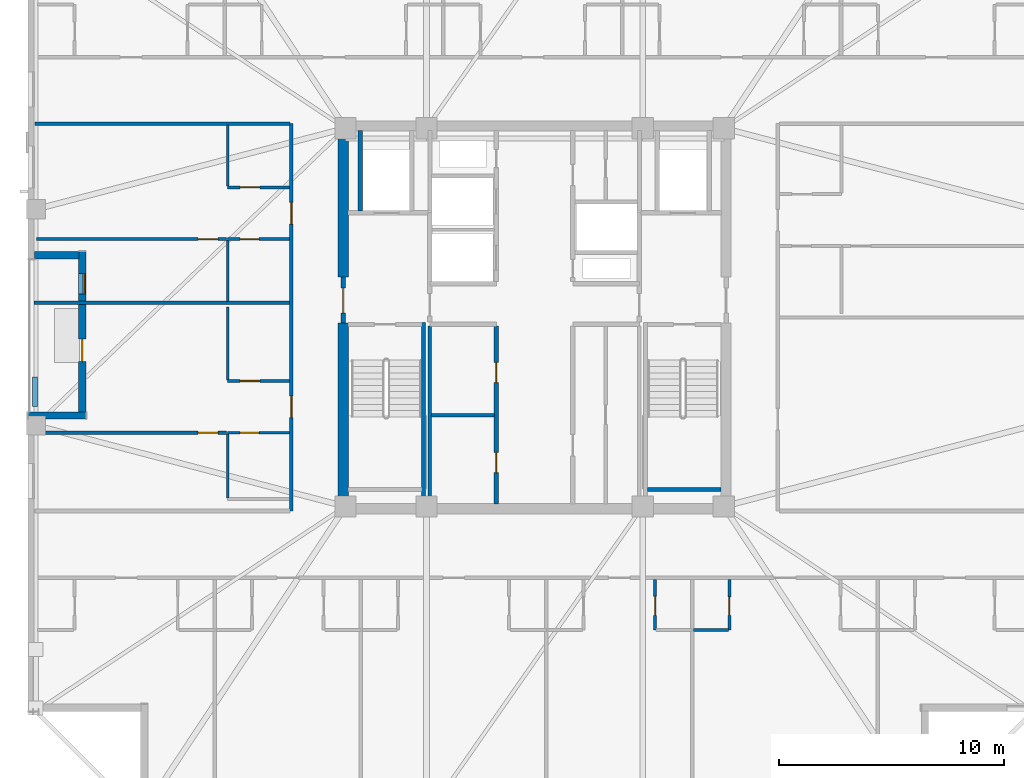
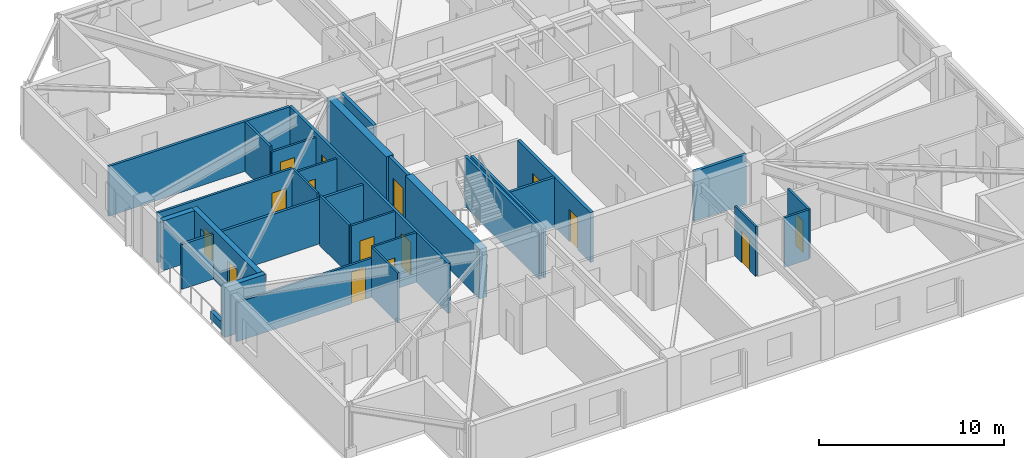
# One storey, part 8 of 17: 29 walls, 14 doors, 1 window, 15 openings.
"""IFC4 building model written with IfcOpenShell, lengths in metres."""

from ifc_helpers import new_model, si_unit, direction, frame, frame_2d, origin, place, context, subcontext, project, spatial, rectangle, extrude, material, layer, layer_set, type_object, element, fill, save


model = new_model("IFC4")

# Units and contexts
model_context = context("Model", 3, precision=1e-05, world=origin(), true_north=direction((0.0, 1.0)))
body_context = subcontext(model_context, "Body", "Model", "MODEL_VIEW")
ifc_project = project(units=[si_unit("LENGTHUNIT", "METRE"), si_unit("AREAUNIT", "SQUARE_METRE"), si_unit("VOLUMEUNIT", "CUBIC_METRE"), si_unit("PLANEANGLEUNIT", "RADIAN"), si_unit("MASSUNIT", "GRAM", prefix="KILO")], contexts=[model_context])

# Site, building, storey
site_placement = place(None, origin())
site = spatial("IfcSite", under=ifc_project, at=site_placement, CompositionType="ELEMENT")
building_placement = place(site_placement, origin())
building = spatial("IfcBuilding", under=site, at=building_placement, Name="Cairnveth Concourse Tower", CompositionType="ELEMENT")
storey_placement = place(building_placement, frame((0.0, 0.0, 237.5)))
storey = spatial("IfcBuildingStorey", under=building, at=storey_placement, Name="L65", CompositionType="ELEMENT", Elevation=237.5)

# Walls
ifc_material_1 = material(Name="Gypsum Plasterboard Partition", Category="gypsum")
ifc_layer_1 = layer(ifc_material_1, 0.159912109375)
ifc_layer_set_1 = layer_set([ifc_layer_1], Name="Gypsum Plasterboard Partition")
wall_type_1 = type_object("IfcWallType", Name="ACOUSTIC PARTY WALL 180", PredefinedType="PARTITIONING", material=ifc_layer_set_1)
wall_1_placement = place(storey_placement, frame((47.35009765625, 30.7099609375, 0.0), z_axis=(0.0, 0.0, 1.0), x_axis=(0.0, 1.0, 0.0)))
element("IfcWall", 1, at=wall_1_placement, inside=storey, type_object=wall_type_1, Name="Interior Wall IW-L65-025", PredefinedType="PARTITIONING", context=body_context, shape_type="SweptSolid", body=[
    extrude(rectangle(XDim=7.905029296875, YDim=0.159912109375, at=frame_2d((3.95263671875, 0.0))), origin(), (0.0, 0.0, 1.0), 3.2900390625),
])
wall_2_placement = place(storey_placement, frame((47.4150390625, 34.64990234375, 0.0), z_axis=(0.0, 0.0, 1.0), x_axis=(1.0, 0.0, 0.0)))
element("IfcWall", 2, at=wall_2_placement, inside=storey, type_object=wall_type_1, Name="Interior Wall IW-L65-026", PredefinedType="PARTITIONING", context=body_context, shape_type="SweptSolid", body=[
    extrude(rectangle(XDim=2.800048828125, YDim=0.159912109375, at=frame_2d((1.39990234375, 0.0))), origin(), (0.0, 0.0, 1.0), 3.2900390625),
])

# Wall, openings, doors
wall_3_placement = place(storey_placement, frame((41.199951171875, 30.39990234375, 0.0), z_axis=(0.0, 0.0, 1.0), x_axis=(0.0, 1.0, 0.0)))
wall_3 = element("IfcWall", 3, at=wall_3_placement, inside=storey, type_object=wall_type_1, Name="Interior Wall IW-L65-038", PredefinedType="PARTITIONING", context=body_context, shape_type="SweptSolid", body=[
    extrude(rectangle(XDim=17.2001953125, YDim=0.159912109375, at=frame_2d((8.60009765625, 0.0))), origin(), (0.0, 0.0, 1.0), 3.2900390625),
])
opening_1_placement = place(wall_3_placement, frame((4.14501953125, 0.0, 0.0)))
opening_1 = element("IfcOpeningElement", 4, at=opening_1_placement, cuts=wall_3, Name="Opening ID10", PredefinedType="OPENING", context=body_context, shape_type="SweptSolid", body=[
    extrude(rectangle(XDim=0.9599609375, YDim=2.179931640625, at=frame_2d((0.47998046875, 1.08984375))), frame((0.0, 0.08984375, 0.0), z_axis=(0.0, -1.0, 0.0), x_axis=(1.0, 0.0, 0.0)), (0.0, 0.0, 1.0), 0.179931640625),
])
opening_2_placement = place(wall_3_placement, frame((12.7451171875, 0.0, 0.0)))
opening_2 = element("IfcOpeningElement", 5, at=opening_2_placement, cuts=wall_3, Name="Opening ID10", PredefinedType="OPENING", context=body_context, shape_type="SweptSolid", body=[
    extrude(rectangle(XDim=0.9599609375, YDim=2.179931640625, at=frame_2d((0.47998046875, 1.08984375))), frame((0.0, 0.08984375, 0.0), z_axis=(0.0, -1.0, 0.0), x_axis=(1.0, 0.0, 0.0)), (0.0, 0.0, 1.0), 0.179931640625),
])
ifc_material_2 = material(Name="Solid Core Hardwood Timber Leaf", Category="wood")
door_type_1 = type_object("IfcDoorType", Name="FLAT ENTRANCE DOOR 960X2150", OperationType="NOTDEFINED", PredefinedType="DOOR", material=ifc_material_2)
door_1_placement = place(opening_1_placement, origin())
door_1 = element("IfcDoor", 6, at=door_1_placement, inside=storey, type_object=door_type_1, Name="Apartment L65W1 Entrance Door", OperationType="SINGLE_SWING_LEFT", OverallHeight=2.179931640625, OverallWidth=0.9599609375, PredefinedType="DOOR", context=body_context, shape_type="SweptSolid", body=[
    extrude(rectangle(XDim=0.9599609375, YDim=2.179931640625, at=frame_2d((0.47998046875, 1.08984375))), frame((0.0, 0.02490234375, 0.0), z_axis=(0.0, -1.0, 0.0), x_axis=(1.0, 0.0, 0.0)), (0.0, 0.0, 1.0), 0.050048828125),
])
fill(opening_1, door_1)
door_2_placement = place(opening_2_placement, origin())
door_2 = element("IfcDoor", 7, at=door_2_placement, inside=storey, type_object=door_type_1, Name="Apartment L65W2 Entrance Door", OperationType="SINGLE_SWING_LEFT", OverallHeight=2.179931640625, OverallWidth=0.9599609375, PredefinedType="DOOR", context=body_context, shape_type="SweptSolid", body=[
    extrude(rectangle(XDim=0.9599609375, YDim=2.179931640625, at=frame_2d((0.47998046875, 1.08984375))), frame((0.0, 0.02490234375, 0.0), z_axis=(0.0, -1.0, 0.0), x_axis=(1.0, 0.0, 0.0)), (0.0, 0.0, 1.0), 0.050048828125),
])
fill(opening_2, door_2)

# Walls
wall_4_placement = place(storey_placement, frame((29.804931640625, 47.60009765625, 0.0), z_axis=(0.0, 0.0, 1.0), x_axis=(1.0, 0.0, 0.0)))
element("IfcWall", 8, at=wall_4_placement, inside=storey, type_object=wall_type_1, Name="Interior Wall IW-L65-041", PredefinedType="PARTITIONING", context=body_context, shape_type="SweptSolid", body=[
    extrude(rectangle(XDim=11.330078125, YDim=0.159912109375, at=frame_2d((5.6650390625, 0.0))), origin(), (0.0, 0.0, 1.0), 3.2900390625),
])
wall_5_placement = place(storey_placement, frame((29.77001953125, 39.64990234375, 0.0), z_axis=(0.0, 0.0, 1.0), x_axis=(1.0, 0.0, 0.0)))
element("IfcWall", 9, at=wall_5_placement, inside=storey, type_object=wall_type_1, Name="Interior Wall IW-L65-097", PredefinedType="PARTITIONING", context=body_context, shape_type="SweptSolid", body=[
    extrude(rectangle(XDim=11.35009765625, YDim=0.159912109375, at=frame_2d((5.675048828125, 0.0))), origin(), (0.0, 0.0, 1.0), 2.9580078125),
])
ifc_material_3 = material(Name="Concrete N65 (65 MPa)", Category="concrete")
ifc_layer_2 = layer(ifc_material_3, 0.449951171875)
ifc_layer_set_2 = layer_set([ifc_layer_2], Name="Concrete N65 (65 MPa)")
wall_type_2 = type_object("IfcWallType", Name="CORE SHEAR WALL 450", PredefinedType="SHEAR", material=ifc_layer_set_2)
wall_6_placement = place(storey_placement, frame((43.5, 30.715087890625, 0.0), z_axis=(0.0, 0.0, 1.0), x_axis=(0.0, 1.0, 0.0)))
element("IfcWall", 10, at=wall_6_placement, inside=storey, type_object=wall_type_2, Name="Core West Shear Wall S L65", PredefinedType="SHEAR", context=body_context, shape_type="SweptSolid", body=[
    extrude(rectangle(XDim=8.034912109375, YDim=0.449951171875, at=frame_2d((4.017578125, 0.0))), origin(), (0.0, 0.0, 1.0), 3.2900390625),
])
wall_7_placement = place(storey_placement, frame((43.5, 40.800048828125, 0.0), z_axis=(0.0, 0.0, 1.0), x_axis=(0.0, 1.0, 0.0)))
element("IfcWall", 11, at=wall_7_placement, inside=storey, type_object=wall_type_2, Name="Core West Shear Wall N L65", PredefinedType="SHEAR", context=body_context, shape_type="SweptSolid", body=[
    extrude(rectangle(XDim=6.48486328125, YDim=0.449951171875, at=frame_2d((3.242431640625, 0.0))), origin(), (0.0, 0.0, 1.0), 3.2900390625),
])
ifc_material_4 = material(Name="Concrete N50 (50 MPa)", Category="concrete")
ifc_layer_3 = layer(ifc_material_4, 0.179931640625)
ifc_layer_set_3 = layer_set([ifc_layer_3], Name="Concrete N50 (50 MPa)")
wall_type_3 = type_object("IfcWallType", Name="FIRE SHAFT WALL 180", PredefinedType="SOLIDWALL", material=ifc_layer_set_3)
wall_8_placement = place(storey_placement, frame((47.070068359375, 38.780029296875, 0.0), z_axis=(0.0, 0.0, 1.0), x_axis=(0.0, -1.0, 0.0)))
element("IfcWall", 12, at=wall_8_placement, inside=storey, type_object=wall_type_3, Name="Stair ST-1 Shaft Wall RGHT L65", PredefinedType="SOLIDWALL", context=body_context, shape_type="SweptSolid", body=[
    extrude(rectangle(XDim=8.067138671875, YDim=0.179931640625, at=frame_2d((4.03369140625, 0.0))), origin(), (0.0, 0.0, 1.0), 3.2900390625),
])
wall_9_placement = place(storey_placement, frame((57.0048828125, 31.360107421875, 0.0), z_axis=(0.0, 0.0, 1.0), x_axis=(1.0, 0.0, 0.0)))
element("IfcWall", 13, at=wall_9_placement, inside=storey, type_object=wall_type_3, Name="Stair ST-2 Shaft Wall FAR L65", PredefinedType="SOLIDWALL", context=body_context, shape_type="SweptSolid", body=[
    extrude(rectangle(XDim=3.280029296875, YDim=0.179931640625, at=frame_2d((1.64013671875, 0.0))), origin(), (0.0, 0.0, 1.0), 3.2900390625),
])

# Wall, openings, doors
ifc_layer_4 = layer(ifc_material_4, 0.199951171875)
ifc_layer_set_4 = layer_set([ifc_layer_4], Name="Concrete N50 (50 MPa)")
wall_type_4 = type_object("IfcWallType", Name="FIRE SHAFT WALL 200", PredefinedType="SOLIDWALL", material=ifc_layer_set_4)
wall_10_placement = place(storey_placement, frame((50.300048828125, 30.7099609375, 0.0), z_axis=(0.0, 0.0, 1.0), x_axis=(0.0, 1.0, 0.0)))
wall_10 = element("IfcWall", 14, at=wall_10_placement, inside=storey, type_object=wall_type_4, Name="Interior Wall IW-L65-011", PredefinedType="SOLIDWALL", context=body_context, shape_type="SweptSolid", body=[
    extrude(rectangle(XDim=7.905029296875, YDim=0.199951171875, at=frame_2d((3.95263671875, 0.0))), origin(), (0.0, 0.0, 1.0), 3.2900390625),
])
opening_3_placement = place(wall_10_placement, frame((1.389892578125, 0.0, 0.0)))
opening_3 = element("IfcOpeningElement", 15, at=opening_3_placement, cuts=wall_10, Name="Opening ID26", PredefinedType="OPENING", context=body_context, shape_type="SweptSolid", body=[
    extrude(rectangle(XDim=0.89990234375, YDim=2.1201171875, at=frame_2d((0.449951171875, 1.06005859375))), frame((0.0, 0.10986328125, 0.0), z_axis=(0.0, -1.0, 0.0), x_axis=(1.0, 0.0, 0.0)), (0.0, 0.0, 1.0), 0.219970703125),
])
opening_4_placement = place(wall_10_placement, frame((5.389892578125, 0.0, 0.0)))
opening_4 = element("IfcOpeningElement", 16, at=opening_4_placement, cuts=wall_10, Name="Opening ID26", PredefinedType="OPENING", context=body_context, shape_type="SweptSolid", body=[
    extrude(rectangle(XDim=0.89990234375, YDim=2.1201171875, at=frame_2d((0.449951171875, 1.06005859375))), frame((0.0, 0.10986328125, 0.0), z_axis=(0.0, -1.0, 0.0), x_axis=(1.0, 0.0, 0.0)), (0.0, 0.0, 1.0), 0.219970703125),
])
ifc_material_5 = material(Name="Steel Grade 350", Category="steel")
door_type_2 = type_object("IfcDoorType", Name="CORE TOILET FIRE DOOR 900X2120", OperationType="NOTDEFINED", PredefinedType="DOOR", material=ifc_material_5)
door_3_placement = place(opening_3_placement, origin())
door_3 = element("IfcDoor", 17, at=door_3_placement, inside=storey, type_object=door_type_2, Name="Male WC Door L65", OperationType="SINGLE_SWING_LEFT", OverallHeight=2.1201171875, OverallWidth=0.89990234375, PredefinedType="DOOR", context=body_context, shape_type="SweptSolid", body=[
    extrude(rectangle(XDim=0.89990234375, YDim=2.1201171875, at=frame_2d((0.449951171875, 1.06005859375))), frame((0.0, 0.02490234375, 0.0), z_axis=(0.0, -1.0, 0.0), x_axis=(1.0, 0.0, 0.0)), (0.0, 0.0, 1.0), 0.050048828125),
])
fill(opening_3, door_3)
door_4_placement = place(opening_4_placement, origin())
door_4 = element("IfcDoor", 18, at=door_4_placement, inside=storey, type_object=door_type_2, Name="Female WC Door L65", OperationType="SINGLE_SWING_RIGHT", OverallHeight=2.1201171875, OverallWidth=0.89990234375, PredefinedType="DOOR", context=body_context, shape_type="SweptSolid", body=[
    extrude(rectangle(XDim=0.89990234375, YDim=2.1201171875, at=frame_2d((0.449951171875, 1.06005859375))), frame((0.0, 0.02490234375, 0.0), z_axis=(0.0, -1.0, 0.0), x_axis=(1.0, 0.0, 0.0)), (0.0, 0.0, 1.0), 0.050048828125),
])
fill(opening_4, door_4)

# Wall, opening, door
wall_11_placement = place(storey_placement, frame((43.5, 38.75, 0.0), z_axis=(0.0, 0.0, 1.0), x_axis=(0.0, 1.0, 0.0)))
wall_11 = element("IfcWall", 19, at=wall_11_placement, inside=storey, type_object=wall_type_4, Name="Interior Wall IW-L65-015", PredefinedType="SOLIDWALL", context=body_context, shape_type="SweptSolid", body=[
    extrude(rectangle(XDim=2.050048828125, YDim=0.199951171875, at=frame_2d((1.02490234375, 0.0))), origin(), (0.0, 0.0, 1.0), 3.2900390625),
])
opening_5_placement = place(wall_11_placement, frame((0.449951171875, 0.0, 0.0)))
opening_5 = element("IfcOpeningElement", 20, at=opening_5_placement, cuts=wall_11, Name="Opening ID06", PredefinedType="OPENING", context=body_context, shape_type="SweptSolid", body=[
    extrude(rectangle(XDim=1.10009765625, YDim=2.14990234375, at=frame_2d((0.550048828125, 1.074951171875))), frame((0.0, 0.10986328125, 0.0), z_axis=(0.0, -1.0, 0.0), x_axis=(1.0, 0.0, 0.0)), (0.0, 0.0, 1.0), 0.219970703125),
])
door_type_3 = type_object("IfcDoorType", Name="FIRE CORRIDOR DOOR 1100X2150", OperationType="NOTDEFINED", PredefinedType="DOOR", material=ifc_material_5)
door_5_placement = place(opening_5_placement, origin())
door_5 = element("IfcDoor", 21, at=door_5_placement, inside=storey, type_object=door_type_3, Name="West Wing to FF Lobby Door L65", OperationType="SINGLE_SWING_LEFT", OverallHeight=2.14990234375, OverallWidth=1.10009765625, PredefinedType="DOOR", context=body_context, shape_type="SweptSolid", body=[
    extrude(rectangle(XDim=1.10009765625, YDim=2.14990234375, at=frame_2d((0.550048828125, 1.074951171875))), frame((0.0, 0.02490234375, 0.0), z_axis=(0.0, -1.0, 0.0), x_axis=(1.0, 0.0, 0.0)), (0.0, 0.0, 1.0), 0.050048828125),
])
fill(opening_5, door_5)

# Wall
wall_12_placement = place(storey_placement, frame((44.25, 43.735107421875, 0.0), z_axis=(0.0, 0.0, 1.0), x_axis=(0.0, 1.0, 0.0)))
element("IfcWall", 22, at=wall_12_placement, inside=storey, type_object=wall_type_4, Name="Interior Wall IW-L65-019", PredefinedType="SOLIDWALL", context=body_context, shape_type="SweptSolid", body=[
    extrude(rectangle(XDim=3.554931640625, YDim=0.199951171875, at=frame_2d((1.77734375, 0.0))), origin(), (0.0, 0.0, 1.0), 3.2900390625),
])

# Wall, opening, door
ifc_layer_5 = layer(ifc_material_1, 0.139892578125)
ifc_layer_set_5 = layer_set([ifc_layer_5], Name="Gypsum Plasterboard Partition")
wall_type_5 = type_object("IfcWallType", Name="GYPSUM STUD PARTITION 140", PredefinedType="PARTITIONING", material=ifc_layer_set_5)
wall_13_placement = place(storey_placement, frame((29.8798828125, 33.875, 0.0), z_axis=(0.0, 0.0, 1.0), x_axis=(1.0, 0.0, 0.0)))
wall_13 = element("IfcWall", 23, at=wall_13_placement, inside=storey, type_object=wall_type_5, Name="Interior Wall IW-L65-103", PredefinedType="PARTITIONING", context=body_context, shape_type="SweptSolid", body=[
    extrude(rectangle(XDim=8.440185546875, YDim=0.139892578125, at=frame_2d((4.22021484375, 0.0))), origin(), (0.0, 0.0, 1.0), 2.572998046875),
])
opening_6_placement = place(wall_13_placement, frame((7.179931640625, 0.0, 0.0)))
opening_6 = element("IfcOpeningElement", 24, at=opening_6_placement, cuts=wall_13, Name="Opening ID18", PredefinedType="OPENING", context=body_context, shape_type="SweptSolid", body=[
    extrude(rectangle(XDim=0.8798828125, YDim=2.10009765625, at=frame_2d((0.43994140625, 1.050048828125))), frame((0.0, 0.079833984375, 0.0), z_axis=(0.0, -1.0, 0.0), x_axis=(1.0, 0.0, 0.0)), (0.0, 0.0, 1.0), 0.159912109375),
])
door_type_4 = type_object("IfcDoorType", Name="INTERIOR SINGLE DOOR 880X2100", OperationType="NOTDEFINED", PredefinedType="DOOR", material=ifc_material_2)
door_6_placement = place(opening_6_placement, origin())
door_6 = element("IfcDoor", 25, at=door_6_placement, inside=storey, type_object=door_type_4, Name="L65W1 Master Bedroom Door", OperationType="SINGLE_SWING_RIGHT", OverallHeight=2.10009765625, OverallWidth=0.8798828125, PredefinedType="DOOR", context=body_context, shape_type="SweptSolid", body=[
    extrude(rectangle(XDim=0.8798828125, YDim=2.10009765625, at=frame_2d((0.43994140625, 1.050048828125))), frame((0.0, 0.02490234375, 0.0), z_axis=(0.0, -1.0, 0.0), x_axis=(1.0, 0.0, 0.0)), (0.0, 0.0, 1.0), 0.050048828125),
])
fill(opening_6, door_6)

wall_14_placement = place(storey_placement, frame((29.8798828125, 42.47509765625, 0.0), z_axis=(0.0, 0.0, 1.0), x_axis=(1.0, 0.0, 0.0)))
wall_14 = element("IfcWall", 26, at=wall_14_placement, inside=storey, type_object=wall_type_5, Name="Interior Wall IW-L65-108", PredefinedType="PARTITIONING", context=body_context, shape_type="SweptSolid", body=[
    extrude(rectangle(XDim=8.440185546875, YDim=0.139892578125, at=frame_2d((4.22021484375, 0.0))), origin(), (0.0, 0.0, 1.0), 3.2900390625),
])
opening_7_placement = place(wall_14_placement, frame((7.179931640625, 0.0, 0.0)))
opening_7 = element("IfcOpeningElement", 27, at=opening_7_placement, cuts=wall_14, Name="Opening ID18", PredefinedType="OPENING", context=body_context, shape_type="SweptSolid", body=[
    extrude(rectangle(XDim=0.8798828125, YDim=2.10009765625, at=frame_2d((0.43994140625, 1.050048828125))), frame((0.0, 0.079833984375, 0.0), z_axis=(0.0, -1.0, 0.0), x_axis=(1.0, 0.0, 0.0)), (0.0, 0.0, 1.0), 0.159912109375),
])
door_7_placement = place(opening_7_placement, origin())
door_7 = element("IfcDoor", 28, at=door_7_placement, inside=storey, type_object=door_type_4, Name="L65W2 Master Bedroom Door", OperationType="SINGLE_SWING_RIGHT", OverallHeight=2.10009765625, OverallWidth=0.8798828125, PredefinedType="DOOR", context=body_context, shape_type="SweptSolid", body=[
    extrude(rectangle(XDim=0.8798828125, YDim=2.10009765625, at=frame_2d((0.43994140625, 1.050048828125))), frame((0.0, 0.02490234375, 0.0), z_axis=(0.0, -1.0, 0.0), x_axis=(1.0, 0.0, 0.0)), (0.0, 0.0, 1.0), 0.050048828125),
])
fill(opening_7, door_7)

# Wall
ifc_material_6 = material(Name="Dressed Melbourne Bluestone Cladding", Category="masonry")
ifc_layer_6 = layer(ifc_material_6, 0.219970703125)
ifc_layer_set_6 = layer_set([ifc_layer_6], Name="Dressed Melbourne Bluestone Cladding")
wall_type_6 = type_object("IfcWallType", Name="TERRACE PLANTER CURB WALL 220", PredefinedType="PARAPET", material=ifc_layer_set_6)
wall_15_placement = place(storey_placement, frame((29.820068359375, 35.050048828125, 0.0), z_axis=(0.0, 0.0, 1.0), x_axis=(0.0, 1.0, 0.0)))
element("IfcWall", 29, at=wall_15_placement, inside=storey, type_object=wall_type_6, Name="Exterior Wall PLNT-L65-TERR", PredefinedType="PARAPET", context=body_context, shape_type="SweptSolid", body=[
    extrude(rectangle(XDim=1.300048828125, YDim=0.219970703125, at=frame_2d((0.64990234375, 0.0))), origin(), (0.0, 0.0, 1.0), 0.550048828125),
])

# Wall, opening, door
ifc_layer_7 = layer(ifc_material_1, 0.1298828125)
ifc_layer_set_7 = layer_set([ifc_layer_7], Name="Gypsum Plasterboard Partition")
wall_type_7 = type_object("IfcWallType", Name="WET AREA PARTITION 140", PredefinedType="PLUMBINGWALL", material=ifc_layer_set_7)
wall_16_placement = place(storey_placement, frame((57.35009765625, 25.112548828125, 0.0), z_axis=(0.0, 0.0, 1.0), x_axis=(0.0, 1.0, 0.0)))
wall_16 = element("IfcWall", 30, at=wall_16_placement, inside=storey, type_object=wall_type_7, Name="Interior Wall IW-L65-061", PredefinedType="PLUMBINGWALL", context=body_context, shape_type="SweptSolid", body=[
    extrude(rectangle(XDim=2.25, YDim=0.1298828125, at=frame_2d((1.125, 0.0))), origin(), (0.0, 0.0, 1.0), 3.2900390625),
])
opening_8_placement = place(wall_16_placement, frame((0.64990234375, 0.0, 0.0)))
opening_8 = element("IfcOpeningElement", 31, at=opening_8_placement, cuts=wall_16, Name="Opening ID20", PredefinedType="OPENING", context=body_context, shape_type="SweptSolid", body=[
    extrude(rectangle(XDim=0.85009765625, YDim=2.10009765625, at=frame_2d((0.425048828125, 1.050048828125))), frame((0.0, 0.074951171875, 0.0), z_axis=(0.0, -1.0, 0.0), x_axis=(1.0, 0.0, 0.0)), (0.0, 0.0, 1.0), 0.14990234375),
])
door_type_5 = type_object("IfcDoorType", Name="INTERIOR SINGLE DOOR 850X2100", OperationType="NOTDEFINED", PredefinedType="DOOR", material=ifc_material_2)
door_8_placement = place(opening_8_placement, origin())
door_8 = element("IfcDoor", 32, at=door_8_placement, inside=storey, type_object=door_type_5, Name="L65STS4 Kitchen Door", OperationType="SINGLE_SWING_LEFT", OverallHeight=2.10009765625, OverallWidth=0.85009765625, PredefinedType="DOOR", context=body_context, shape_type="SweptSolid", body=[
    extrude(rectangle(XDim=0.85009765625, YDim=2.10009765625, at=frame_2d((0.425048828125, 1.050048828125))), frame((0.0, 0.02490234375, 0.0), z_axis=(0.0, -1.0, 0.0), x_axis=(1.0, 0.0, 0.0)), (0.0, 0.0, 1.0), 0.050048828125),
])
fill(opening_8, door_8)

wall_17_placement = place(storey_placement, frame((60.64990234375, 25.112548828125, 0.0), z_axis=(0.0, 0.0, 1.0), x_axis=(0.0, 1.0, 0.0)))
wall_17 = element("IfcWall", 33, at=wall_17_placement, inside=storey, type_object=wall_type_7, Name="Interior Wall IW-L65-064", PredefinedType="PLUMBINGWALL", context=body_context, shape_type="SweptSolid", body=[
    extrude(rectangle(XDim=2.25, YDim=0.1298828125, at=frame_2d((1.125, 0.0))), origin(), (0.0, 0.0, 1.0), 3.2900390625),
])
opening_9_placement = place(wall_17_placement, frame((0.64990234375, 0.0, 0.0)))
opening_9 = element("IfcOpeningElement", 34, at=opening_9_placement, cuts=wall_17, Name="Opening ID22", PredefinedType="OPENING", context=body_context, shape_type="SweptSolid", body=[
    extrude(rectangle(XDim=0.820068359375, YDim=2.10009765625, at=frame_2d((0.41015625, 1.050048828125))), frame((0.0, 0.074951171875, 0.0), z_axis=(0.0, -1.0, 0.0), x_axis=(1.0, 0.0, 0.0)), (0.0, 0.0, 1.0), 0.14990234375),
])
door_type_6 = type_object("IfcDoorType", Name="INTERIOR WC DOOR 820X2100", OperationType="NOTDEFINED", PredefinedType="DOOR", material=ifc_material_2)
door_9_placement = place(opening_9_placement, origin())
door_9 = element("IfcDoor", 35, at=door_9_placement, inside=storey, type_object=door_type_6, Name="L65STS5 Bathroom Door", OperationType="SINGLE_SWING_LEFT", OverallHeight=2.10009765625, OverallWidth=0.820068359375, PredefinedType="DOOR", context=body_context, shape_type="SweptSolid", body=[
    extrude(rectangle(XDim=0.820068359375, YDim=2.10009765625, at=frame_2d((0.41015625, 1.050048828125))), frame((0.0, 0.02490234375, 0.0), z_axis=(0.0, -1.0, 0.0), x_axis=(1.0, 0.0, 0.0)), (0.0, 0.0, 1.0), 0.050048828125),
])
fill(opening_9, door_9)

# Wall
wall_18_placement = place(storey_placement, frame((59.06494140625, 25.112548828125, 0.0), z_axis=(0.0, 0.0, 1.0), x_axis=(1.0, 0.0, 0.0)))
element("IfcWall", 36, at=wall_18_placement, inside=storey, type_object=wall_type_7, Name="Interior Wall IW-L65-065", PredefinedType="PLUMBINGWALL", context=body_context, shape_type="SweptSolid", body=[
    extrude(rectangle(XDim=1.53515625, YDim=0.1298828125, at=frame_2d((0.767578125, 0.0))), origin(), (0.0, 0.0, 1.0), 3.2900390625),
])

# Wall, opening, door
wall_19_placement = place(storey_placement, frame((38.3701171875, 33.875, 0.0), z_axis=(0.0, 0.0, 1.0), x_axis=(1.0, 0.0, 0.0)))
wall_19 = element("IfcWall", 37, at=wall_19_placement, inside=storey, type_object=wall_type_7, Name="Interior Wall IW-L65-099", PredefinedType="PLUMBINGWALL", context=body_context, shape_type="SweptSolid", body=[
    extrude(rectangle(XDim=2.75, YDim=0.1298828125, at=frame_2d((1.375, 0.0))), origin(), (0.0, 0.0, 1.0), 3.2900390625),
])
opening_10_placement = place(wall_19_placement, frame((0.550048828125, 0.0, 0.0)))
opening_10 = element("IfcOpeningElement", 38, at=opening_10_placement, cuts=wall_19, Name="Opening ID21", PredefinedType="OPENING", context=body_context, shape_type="SweptSolid", body=[
    extrude(rectangle(XDim=0.85009765625, YDim=2.080078125, at=frame_2d((0.425048828125, 1.0400390625))), frame((0.0, 0.074951171875, 0.0), z_axis=(0.0, -1.0, 0.0), x_axis=(1.0, 0.0, 0.0)), (0.0, 0.0, 1.0), 0.14990234375),
])
door_type_7 = type_object("IfcDoorType", Name="INTERIOR WC DOOR 850X2100", OperationType="NOTDEFINED", PredefinedType="DOOR", material=ifc_material_2)
door_10_placement = place(opening_10_placement, origin())
door_10 = element("IfcDoor", 39, at=door_10_placement, inside=storey, type_object=door_type_7, Name="L65W1 Bathroom Door", OperationType="SINGLE_SWING_RIGHT", OverallHeight=2.080078125, OverallWidth=0.85009765625, PredefinedType="DOOR", context=body_context, shape_type="SweptSolid", body=[
    extrude(rectangle(XDim=0.85009765625, YDim=2.080078125, at=frame_2d((0.425048828125, 1.0400390625))), frame((0.0, 0.02490234375, 0.0), z_axis=(0.0, -1.0, 0.0), x_axis=(1.0, 0.0, 0.0)), (0.0, 0.0, 1.0), 0.050048828125),
])
fill(opening_10, door_10)

# Wall
wall_20_placement = place(storey_placement, frame((38.3701171875, 30.97509765625, 0.0), z_axis=(0.0, 0.0, 1.0), x_axis=(0.0, 1.0, 0.0)))
element("IfcWall", 40, at=wall_20_placement, inside=storey, type_object=wall_type_7, Name="Interior Wall IW-L65-100", PredefinedType="PLUMBINGWALL", context=body_context, shape_type="SweptSolid", body=[
    extrude(rectangle(XDim=2.849853515625, YDim=0.1298828125, at=frame_2d((1.4248046875, 0.0))), origin(), (0.0, 0.0, 1.0), 3.2900390625),
])

# Wall, opening, door
wall_21_placement = place(storey_placement, frame((38.3701171875, 36.175048828125, 0.0), z_axis=(0.0, 0.0, 1.0), x_axis=(1.0, 0.0, 0.0)))
wall_21 = element("IfcWall", 41, at=wall_21_placement, inside=storey, type_object=wall_type_7, Name="Interior Wall IW-L65-101", PredefinedType="PLUMBINGWALL", context=body_context, shape_type="SweptSolid", body=[
    extrude(rectangle(XDim=2.75, YDim=0.1298828125, at=frame_2d((1.375, 0.0))), origin(), (0.0, 0.0, 1.0), 3.2900390625),
])
opening_11_placement = place(wall_21_placement, frame((0.550048828125, 0.0, 0.0)))
opening_11 = element("IfcOpeningElement", 42, at=opening_11_placement, cuts=wall_21, Name="Opening ID18", PredefinedType="OPENING", context=body_context, shape_type="SweptSolid", body=[
    extrude(rectangle(XDim=0.8798828125, YDim=2.10009765625, at=frame_2d((0.43994140625, 1.050048828125))), frame((0.0, 0.074951171875, 0.0), z_axis=(0.0, -1.0, 0.0), x_axis=(1.0, 0.0, 0.0)), (0.0, 0.0, 1.0), 0.14990234375),
])
door_11_placement = place(opening_11_placement, origin())
door_11 = element("IfcDoor", 43, at=door_11_placement, inside=storey, type_object=door_type_4, Name="L65W1 Kitchen Door", OperationType="SINGLE_SWING_LEFT", OverallHeight=2.10009765625, OverallWidth=0.8798828125, PredefinedType="DOOR", context=body_context, shape_type="SweptSolid", body=[
    extrude(rectangle(XDim=0.8798828125, YDim=2.10009765625, at=frame_2d((0.43994140625, 1.050048828125))), frame((0.0, 0.02490234375, 0.0), z_axis=(0.0, -1.0, 0.0), x_axis=(1.0, 0.0, 0.0)), (0.0, 0.0, 1.0), 0.050048828125),
])
fill(opening_11, door_11)

# Wall
wall_22_placement = place(storey_placement, frame((38.3701171875, 36.22509765625, 0.0), z_axis=(0.0, 0.0, 1.0), x_axis=(0.0, 1.0, 0.0)))
element("IfcWall", 44, at=wall_22_placement, inside=storey, type_object=wall_type_7, Name="Interior Wall IW-L65-102", PredefinedType="PLUMBINGWALL", context=body_context, shape_type="SweptSolid", body=[
    extrude(rectangle(XDim=3.239990234375, YDim=0.1298828125, at=frame_2d((1.6201171875, 0.0))), origin(), (0.0, 0.0, 1.0), 3.2900390625),
])

# Wall, opening, door
wall_23_placement = place(storey_placement, frame((38.3701171875, 42.47509765625, 0.0), z_axis=(0.0, 0.0, 1.0), x_axis=(1.0, 0.0, 0.0)))
wall_23 = element("IfcWall", 45, at=wall_23_placement, inside=storey, type_object=wall_type_7, Name="Interior Wall IW-L65-104", PredefinedType="PLUMBINGWALL", context=body_context, shape_type="SweptSolid", body=[
    extrude(rectangle(XDim=2.75, YDim=0.1298828125, at=frame_2d((1.375, 0.0))), origin(), (0.0, 0.0, 1.0), 2.9580078125),
])
opening_12_placement = place(wall_23_placement, frame((0.550048828125, 0.0, 0.0)))
opening_12 = element("IfcOpeningElement", 46, at=opening_12_placement, cuts=wall_23, Name="Opening ID21", PredefinedType="OPENING", context=body_context, shape_type="SweptSolid", body=[
    extrude(rectangle(XDim=0.85009765625, YDim=2.080078125, at=frame_2d((0.425048828125, 1.0400390625))), frame((0.0, 0.074951171875, 0.0), z_axis=(0.0, -1.0, 0.0), x_axis=(1.0, 0.0, 0.0)), (0.0, 0.0, 1.0), 0.14990234375),
])
door_12_placement = place(opening_12_placement, origin())
door_12 = element("IfcDoor", 47, at=door_12_placement, inside=storey, type_object=door_type_7, Name="L65W2 Bathroom Door", OperationType="SINGLE_SWING_RIGHT", OverallHeight=2.080078125, OverallWidth=0.85009765625, PredefinedType="DOOR", context=body_context, shape_type="SweptSolid", body=[
    extrude(rectangle(XDim=0.85009765625, YDim=2.080078125, at=frame_2d((0.425048828125, 1.0400390625))), frame((0.0, 0.02490234375, 0.0), z_axis=(0.0, -1.0, 0.0), x_axis=(1.0, 0.0, 0.0)), (0.0, 0.0, 1.0), 0.050048828125),
])
fill(opening_12, door_12)

# Wall
wall_24_placement = place(storey_placement, frame((38.3701171875, 39.715087890625, 0.0), z_axis=(0.0, 0.0, 1.0), x_axis=(0.0, 1.0, 0.0)))
element("IfcWall", 48, at=wall_24_placement, inside=storey, type_object=wall_type_7, Name="Interior Wall IW-L65-105", PredefinedType="PLUMBINGWALL", context=body_context, shape_type="SweptSolid", body=[
    extrude(rectangle(XDim=2.7099609375, YDim=0.1298828125, at=frame_2d((1.35498046875, 0.0))), origin(), (0.0, 0.0, 1.0), 3.2900390625),
])

# Wall, opening, door
wall_25_placement = place(storey_placement, frame((38.3701171875, 44.77490234375, 0.0), z_axis=(0.0, 0.0, 1.0), x_axis=(1.0, 0.0, 0.0)))
wall_25 = element("IfcWall", 49, at=wall_25_placement, inside=storey, type_object=wall_type_7, Name="Interior Wall IW-L65-106", PredefinedType="PLUMBINGWALL", context=body_context, shape_type="SweptSolid", body=[
    extrude(rectangle(XDim=2.75, YDim=0.1298828125, at=frame_2d((1.375, 0.0))), origin(), (0.0, 0.0, 1.0), 2.9580078125),
])
opening_13_placement = place(wall_25_placement, frame((0.550048828125, 0.0, 0.0)))
opening_13 = element("IfcOpeningElement", 50, at=opening_13_placement, cuts=wall_25, Name="Opening ID18", PredefinedType="OPENING", context=body_context, shape_type="SweptSolid", body=[
    extrude(rectangle(XDim=0.8798828125, YDim=2.10009765625, at=frame_2d((0.43994140625, 1.050048828125))), frame((0.0, 0.074951171875, 0.0), z_axis=(0.0, -1.0, 0.0), x_axis=(1.0, 0.0, 0.0)), (0.0, 0.0, 1.0), 0.14990234375),
])
door_13_placement = place(opening_13_placement, origin())
door_13 = element("IfcDoor", 51, at=door_13_placement, inside=storey, type_object=door_type_4, Name="L65W2 Kitchen Door", OperationType="SINGLE_SWING_LEFT", OverallHeight=2.10009765625, OverallWidth=0.8798828125, PredefinedType="DOOR", context=body_context, shape_type="SweptSolid", body=[
    extrude(rectangle(XDim=0.8798828125, YDim=2.10009765625, at=frame_2d((0.43994140625, 1.050048828125))), frame((0.0, 0.02490234375, 0.0), z_axis=(0.0, -1.0, 0.0), x_axis=(1.0, 0.0, 0.0)), (0.0, 0.0, 1.0), 0.050048828125),
])
fill(opening_13, door_13)

# Walls
wall_26_placement = place(storey_placement, frame((38.3701171875, 44.824951171875, 0.0), z_axis=(0.0, 0.0, 1.0), x_axis=(0.0, 1.0, 0.0)))
element("IfcWall", 52, at=wall_26_placement, inside=storey, type_object=wall_type_7, Name="Interior Wall IW-L65-107", PredefinedType="PLUMBINGWALL", context=body_context, shape_type="SweptSolid", body=[
    extrude(rectangle(XDim=2.7099609375, YDim=0.1298828125, at=frame_2d((1.35498046875, 0.0))), origin(), (0.0, 0.0, 1.0), 3.2900390625),
])
ifc_material_7 = material(Name="Melbourne Buff Fired Clay Brick Masonry", Category="masonry")
ifc_layer_8 = layer(ifc_material_7, 0.320068359375)
ifc_layer_set_8 = layer_set([ifc_layer_8], Name="Melbourne Buff Fired Clay Brick Masonry")
wall_type_8 = type_object("IfcWallType", Name="ZONE 3 BRICK PIER SPANDREL WALL 320", PredefinedType="SOLIDWALL", material=ifc_layer_set_8)
wall_27_placement = place(storey_placement, frame((29.5, 34.639892578125, 0.0), z_axis=(0.0, 0.0, 1.0), x_axis=(1.0, 0.0, 0.0)))
element("IfcWall", 53, at=wall_27_placement, inside=storey, type_object=wall_type_8, Name="Exterior Wall EW-L65-S13", PredefinedType="SOLIDWALL", context=body_context, shape_type="SweptSolid", body=[
    extrude(rectangle(XDim=2.570068359375, YDim=0.320068359375, at=frame_2d((1.28515625, 0.0))), origin(), (0.0, 0.0, 1.0), 3.2900390625),
])

# Wall, openings, window, door
wall_28_placement = place(storey_placement, frame((31.909912109375, 34.778076171875, 0.0), z_axis=(0.0, 0.0, 1.0), x_axis=(0.0, 1.0, 0.0)))
wall_28 = element("IfcWall", 54, at=wall_28_placement, inside=storey, type_object=wall_type_8, Name="Exterior Wall EW-L65-S14", PredefinedType="SOLIDWALL", context=body_context, shape_type="SweptSolid", body=[
    extrude(rectangle(XDim=7.141845703125, YDim=0.320068359375, at=frame_2d((3.57080078125, 0.0))), origin(), (0.0, 0.0, 1.0), 3.2900390625),
])
opening_14_placement = place(wall_28_placement, frame((2.260986328125, 0.0, 0.0)))
opening_14 = element("IfcOpeningElement", 55, at=opening_14_placement, cuts=wall_28, Name="Opening ED4", PredefinedType="OPENING", context=body_context, shape_type="SweptSolid", body=[
    extrude(rectangle(XDim=1.0, YDim=2.14990234375, at=frame_2d((0.5, 1.074951171875))), frame((0.0, 0.169921875, 0.0), z_axis=(0.0, -1.0, 0.0), x_axis=(1.0, 0.0, 0.0)), (0.0, 0.0, 1.0), 0.340087890625),
])
opening_15_placement = place(wall_28_placement, frame((5.27001953125, 0.0, 0.800048828125)))
opening_15 = element("IfcOpeningElement", 56, at=opening_15_placement, cuts=wall_28, Name="Opening W13", PredefinedType="OPENING", context=body_context, shape_type="SweptSolid", body=[
    extrude(rectangle(XDim=0.89990234375, YDim=1.677978515625, at=frame_2d((0.449951171875, 0.8388671875))), frame((0.0, 0.169921875, 0.0), z_axis=(0.0, -1.0, 0.0), x_axis=(1.0, 0.0, 0.0)), (0.0, 0.0, 1.0), 0.340087890625),
])
ifc_material_8 = material(Name="Double Glazed Low-E Clear Glass", Category="glass")
window_type = type_object("IfcWindowType", Name="DEEP-SET BEDROOM LANCET WINDOW 900X1750", PartitioningType="DOUBLE_PANEL_VERTICAL", PredefinedType="WINDOW", material=ifc_material_8)
window_placement = place(opening_15_placement, origin())
window = element("IfcWindow", 57, at=window_placement, inside=storey, type_object=window_type, Name="Dwelling Lancet Window L65-DW5", OverallHeight=1.677978515625, OverallWidth=0.89990234375, PartitioningType="SINGLE_PANEL", PredefinedType="WINDOW", context=body_context, shape_type="SweptSolid", body=[
    extrude(rectangle(XDim=0.89990234375, YDim=1.677978515625, at=frame_2d((0.449951171875, 0.8388671875))), frame((0.0, -0.0400390625, 0.0), z_axis=(0.0, -1.0, 0.0), x_axis=(1.0, 0.0, 0.0)), (0.0, 0.0, 1.0), 0.06005859375),
])
fill(opening_15, window)
ifc_material_9 = material(Name="Architectural Bronze Anodised Aluminium 6063-T6", Category="aluminium")
door_type_8 = type_object("IfcDoorType", Name="TERRACE GLAZED DOOR 1000X2150", OperationType="NOTDEFINED", PredefinedType="DOOR", material=ifc_material_9)
door_14_placement = place(opening_14_placement, origin())
door_14 = element("IfcDoor", 58, at=door_14_placement, inside=storey, type_object=door_type_8, Name="Spiral Terrace Door L65", OperationType="SINGLE_SWING_RIGHT", OverallHeight=2.14990234375, OverallWidth=1.0, PredefinedType="DOOR", context=body_context, shape_type="SweptSolid", body=[
    extrude(rectangle(XDim=1.0, YDim=2.14990234375, at=frame_2d((0.5, 1.074951171875))), frame((0.0, 0.02490234375, 0.0), z_axis=(0.0, -1.0, 0.0), x_axis=(1.0, 0.0, 0.0)), (0.0, 0.0, 1.0), 0.050048828125),
])
fill(opening_14, door_14)

# Wall
wall_29_placement = place(storey_placement, frame((31.77197265625, 41.760009765625, 0.0), z_axis=(0.0, 0.0, 1.0), x_axis=(-1.0, 0.0, 0.0)))
element("IfcWall", 59, at=wall_29_placement, inside=storey, type_object=wall_type_8, Name="Exterior Wall EW-L65-S15", PredefinedType="SOLIDWALL", context=body_context, shape_type="SweptSolid", body=[
    extrude(rectangle(XDim=1.973876953125, YDim=0.320068359375, at=frame_2d((0.98681640625, 0.0))), origin(), (0.0, 0.0, 1.0), 3.2900390625),
])

save(model, "model.ifc")
